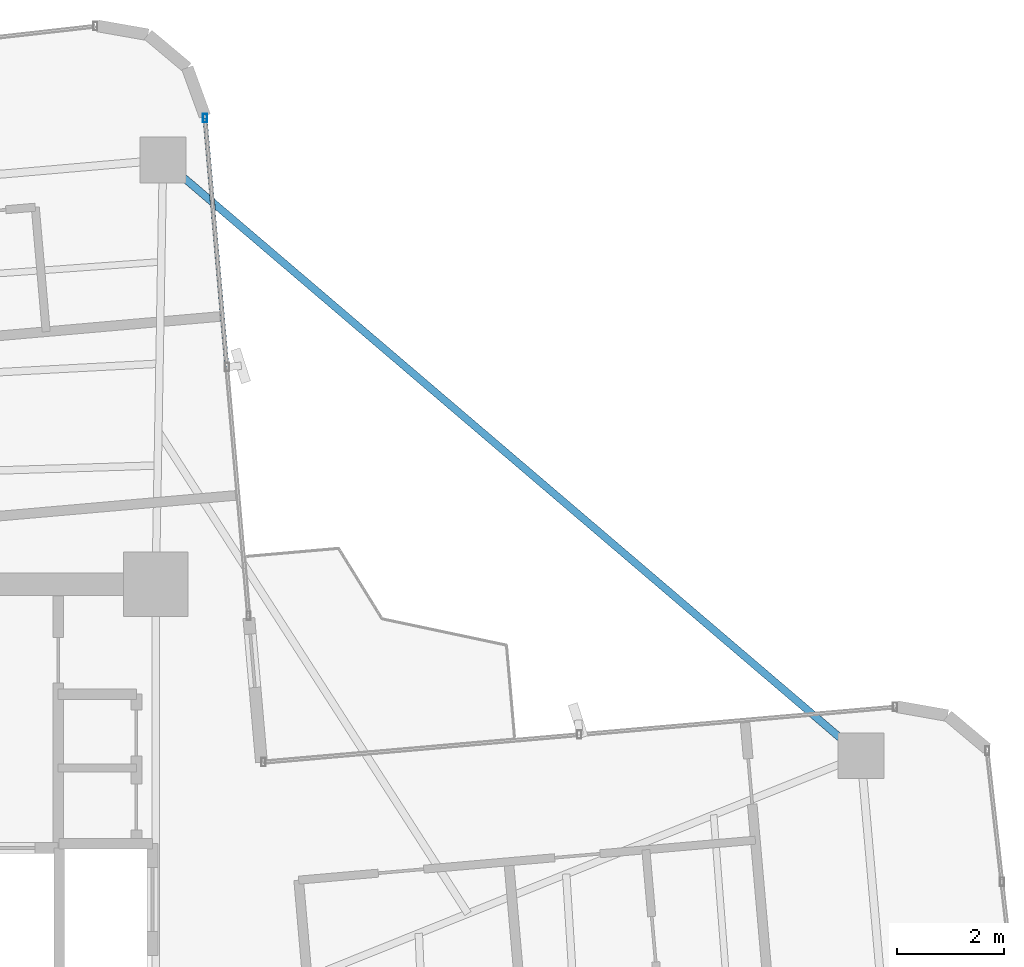
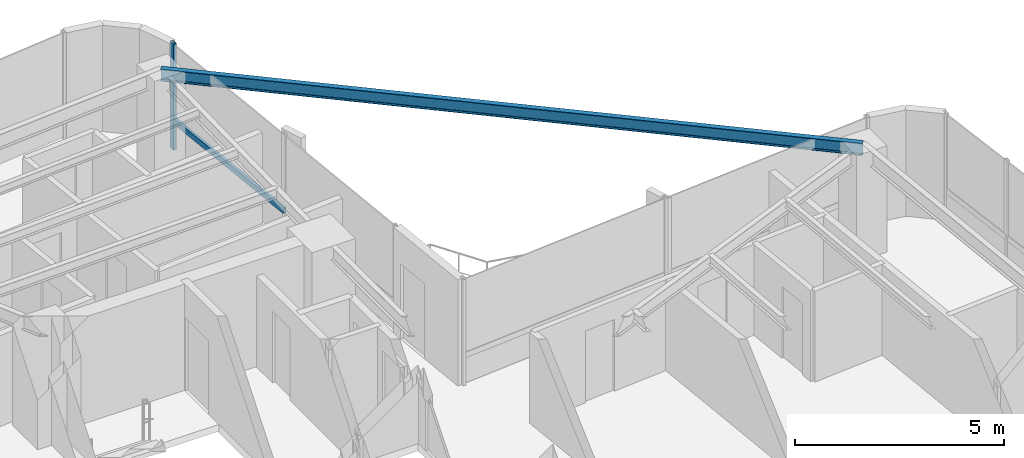
# One storey, part 17 of 24: 2 members, 1 beam, 1 element without a shape of its own.
"""IFC4 building model written with IfcOpenShell, lengths in metres."""

from ifc_helpers import new_model, si_unit, direction, frame, origin, origin_2d, place, context, subcontext, project, spatial, hollow_rectangle, i_section, extrude, source, transform, mapped, material, material_profile, profile_set, type_object, element, aggregate, save


model = new_model("IFC4")

# Units and contexts
model_context = context("Model", 3, precision=1e-05, world=origin(), true_north=direction((0.0, 1.0)))
body_context = subcontext(model_context, "Body", "Model", "MODEL_VIEW")
ifc_project = project(units=[si_unit("LENGTHUNIT", "METRE"), si_unit("AREAUNIT", "SQUARE_METRE"), si_unit("VOLUMEUNIT", "CUBIC_METRE"), si_unit("PLANEANGLEUNIT", "RADIAN"), si_unit("MASSUNIT", "GRAM", prefix="KILO")], contexts=[model_context])

# Site, building, storey
site_placement = place(None, origin())
site = spatial("IfcSite", under=ifc_project, at=site_placement, CompositionType="ELEMENT")
building_placement = place(site_placement, origin())
building = spatial("IfcBuilding", under=site, at=building_placement, Name="Sahyath Konkavel Grand Hotel", CompositionType="ELEMENT")
storey_placement = place(building_placement, frame((0.0, 0.0, 178.550048828125)))
storey = spatial("IfcBuildingStorey", under=building, at=storey_placement, Name="L49", CompositionType="ELEMENT", Elevation=178.550048828125)

# Beam
ifc_material_1 = material(Name="Steel E350", Category="steel")
ifc_material_profile_1 = material_profile(ifc_material_1, i_section(OverallWidth=0.139892578125, OverallDepth=0.35009765625, WebThickness=0.008056640625, FlangeThickness=0.01416015625, FilletRadius=0.013916015625, at=origin_2d()), Name="ISMB 350")
ifc_profile_set_1 = profile_set([ifc_material_profile_1], Name="Steel E350")
beam_type = type_object("IfcBeamType", Name="BM-ISMB350", PredefinedType="BEAM", material=ifc_profile_set_1)
shared_shape_1 = source(origin(), body_context, "Body", "SweptSolid", [
    extrude(i_section(OverallWidth=0.139892578125, OverallDepth=0.35009765625, WebThickness=0.008056640625, FlangeThickness=0.01416015625, FilletRadius=0.013916015625, at=origin_2d()), origin(), (0.0, 0.0, 1.0), 17.11279296875),
])
beam_placement = place(storey_placement, frame((16.9541015625, 7.00439453125, 2.93505859375), z_axis=(-0.760711911164, 0.649089661151, 0.0), x_axis=(-0.649089661151, -0.760711911164, 0.0)))
element("IfcBeam", 1, at=beam_placement, inside=storey, type_object=beam_type, Name="L49 Re-Entrant Tie Beam NE", PredefinedType="BEAM", context=body_context, shape_type="MappedRepresentation", body=[
    mapped(shared_shape_1, transform((0.0, 0.0, 0.0), scale=1.0)),
])

# Curtain wall, members
ifc_material_2 = material(Name="Anodised Bronze Aluminium & Low-E Glazing", Category="aluminium")
curtain_wall_type = type_object("IfcCurtainWallType", Name="CW-ZONE3", PredefinedType="NOTDEFINED", material=ifc_material_2)
curtain_wall_placement = place(storey_placement, origin())
curtain_wall = element("IfcCurtainWall", 2, at=curtain_wall_placement, inside=storey, type_object=curtain_wall_type, Name="L49 Unitised Curtain Wall F8", PredefinedType="NOTDEFINED")
ifc_material_3 = material(Name="Anodised Bronze Aluminium", Category="aluminium")
ifc_material_profile_2 = material_profile(ifc_material_3, hollow_rectangle(XDim=0.080078125, YDim=0.159912109375, WallThickness=0.006103515625, at=origin_2d()), Name="RHS 160x80x6")
ifc_profile_set_2 = profile_set([ifc_material_profile_2], Name="Anodised Bronze Aluminium")
member_type_1 = type_object("IfcMemberType", Name="CW-MUL-160", PredefinedType="MULLION", material=ifc_profile_set_2)
shared_shape_2 = source(origin(), body_context, "Body", "SweptSolid", [
    extrude(hollow_rectangle(XDim=0.080078125, YDim=0.159912109375, WallThickness=0.006103515625, at=origin_2d()), origin(), (0.0, 0.0, 1.0), 3.10986328125),
])
member_1_placement = place(storey_placement, frame((4.72119140625, 18.893310546875, 0.0), z_axis=(0.0, 0.0, 1.0), x_axis=(1.0, 0.0, 0.0)))
member_1 = element("IfcMember", 3, at=member_1_placement, type_object=member_type_1, Name="L49 Curtain Wall Mullion F8-2", PredefinedType="MULLION", context=body_context, shape_type="MappedRepresentation", body=[
    mapped(shared_shape_2, transform((0.0, 0.0, 0.0), scale=1.0)),
])
ifc_material_profile_3 = material_profile(ifc_material_3, hollow_rectangle(XDim=0.080078125, YDim=0.159912109375, WallThickness=0.006103515625, at=origin_2d()), Name="RHS 160x80x6")
ifc_profile_set_3 = profile_set([ifc_material_profile_3], Name="Anodised Bronze Aluminium")
member_type_2 = type_object("IfcMemberType", Name="CW-TRN-160", PredefinedType="USERDEFINED", material=ifc_profile_set_3)
shared_shape_3 = source(origin(), body_context, "Body", "SweptSolid", [
    extrude(hollow_rectangle(XDim=0.080078125, YDim=0.159912109375, WallThickness=0.006103515625, at=origin_2d()), origin(), (0.0, 0.0, 1.0), 4.659912109375),
])
member_2_placement = place(storey_placement, frame((5.12744140625, 14.251220703125, 0.849853515625), z_axis=(-0.087181248758, 0.996192466276, 0.0), x_axis=(-0.996192466276, -0.087181248758, 0.0)))
member_2 = element("IfcMember", 4, at=member_2_placement, type_object=member_type_2, Name="L49 Curtain Wall Transom F8-1-spandrel", ObjectType="TRANSOM", PredefinedType="USERDEFINED", context=body_context, shape_type="MappedRepresentation", body=[
    mapped(shared_shape_3, transform((0.0, 0.0, 0.0), scale=1.0)),
])
aggregate(curtain_wall, [member_1, member_2])

save(model, "model.ifc")
